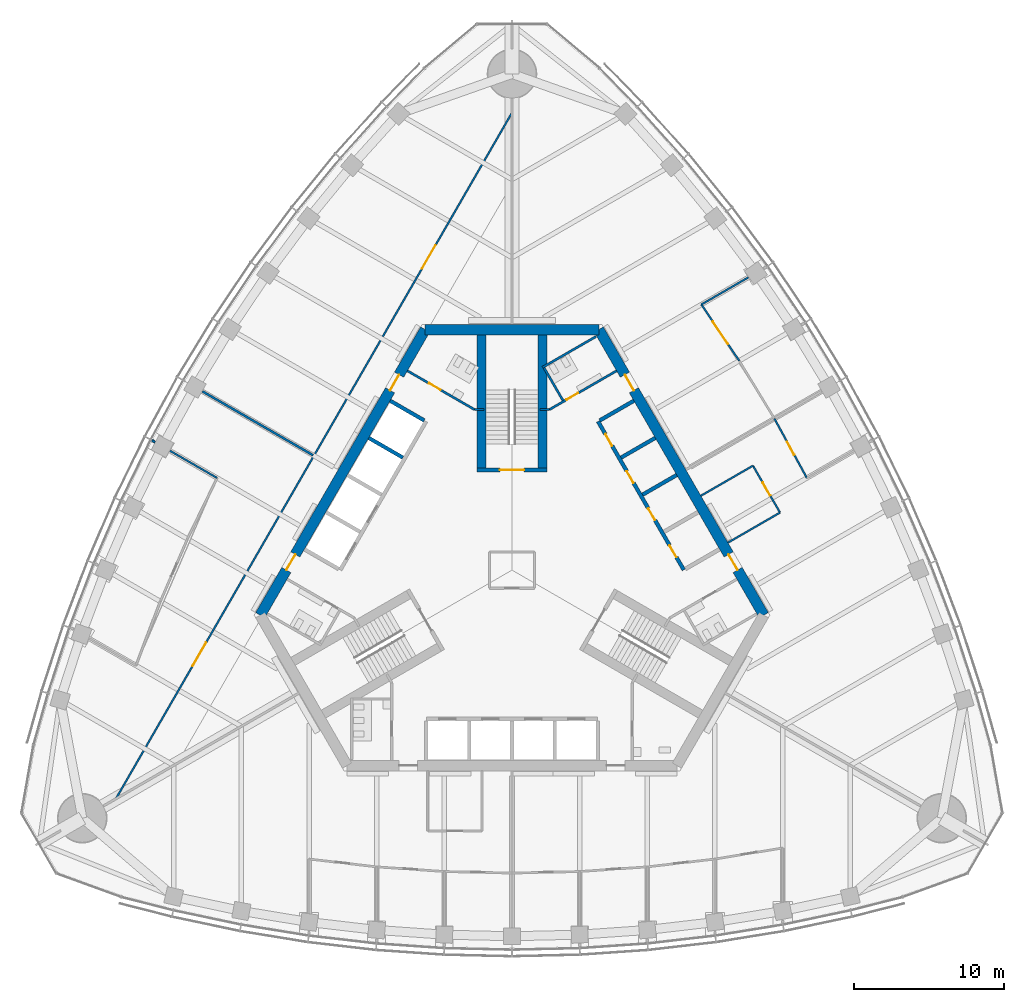
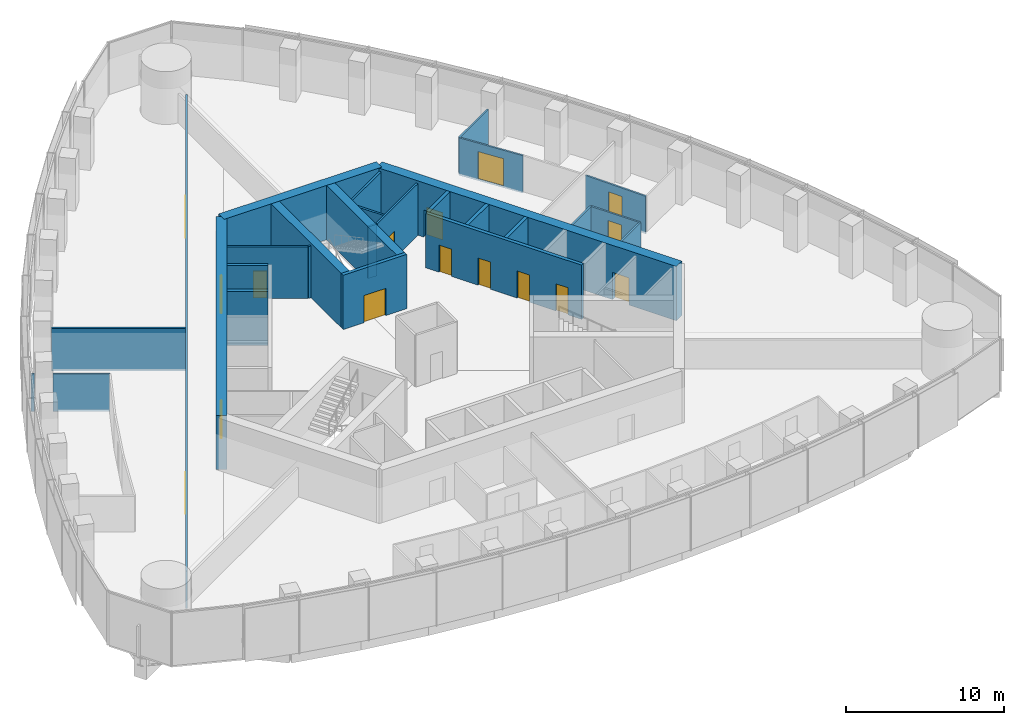
# One storey, part 13 of 19: 28 walls, 16 doors, 16 openings.
"""IFC4 building model written with IfcOpenShell, lengths in metres."""

from ifc_helpers import new_model, si_unit, direction, frame, frame_2d, origin, place, context, subcontext, project, spatial, rectangle, extrude, material, layer, layer_set, type_object, element, fill, save


model = new_model("IFC4")

# Units and contexts
model_context = context("Model", 3, precision=1e-05, world=origin(), true_north=direction((0.0, 1.0)))
body_context = subcontext(model_context, "Body", "Model", "MODEL_VIEW")
ifc_project = project(units=[si_unit("LENGTHUNIT", "METRE"), si_unit("AREAUNIT", "SQUARE_METRE"), si_unit("VOLUMEUNIT", "CUBIC_METRE"), si_unit("PLANEANGLEUNIT", "RADIAN"), si_unit("MASSUNIT", "GRAM", prefix="KILO")], contexts=[model_context])

# Site, building, storey
site_placement = place(None, origin())
site = spatial("IfcSite", under=ifc_project, at=site_placement, CompositionType="ELEMENT")
building_placement = place(site_placement, origin())
building = spatial("IfcBuilding", under=site, at=building_placement, Name="Trefoil Bronze Tower", CompositionType="ELEMENT")
storey_placement = place(building_placement, frame((0.0, 0.0, 223.300048828125)))
storey = spatial("IfcBuildingStorey", under=building, at=storey_placement, Name="L51", CompositionType="ELEMENT", Elevation=223.300048828125)

# Wall, openings, doors
ifc_material_1 = material(Name="Concrete B80", Category="concrete")
ifc_layer_1 = layer(ifc_material_1, 0.699951171875)
ifc_layer_set_1 = layer_set([ifc_layer_1], Name="Core wall 700")
wall_type_1 = type_object("IfcWallType", Name="Core wall 700", PredefinedType="SHEAR", material=ifc_layer_set_1)
wall_1_placement = place(storey_placement, frame((16.7431640625, -3.0, 0.0), z_axis=(0.0, 0.0, 1.0), x_axis=(-0.500002442456, 0.866023993627, 0.0)))
wall_1 = element("IfcWall", 1, at=wall_1_placement, inside=storey, type_object=wall_type_1, Name="Core long wall 2 L51", PredefinedType="SHEAR", context=body_context, shape_type="SweptSolid", body=[
    extrude(rectangle(XDim=21.939453125, YDim=0.699951171875, at=frame_2d((10.9697265625, 0.0))), origin(), (0.0, 0.0, 1.0), 4.199951171875),
])
opening_1_placement = place(wall_1_placement, frame((17.269775390625, 0.0, 0.0)))
opening_1 = element("IfcOpeningElement", 2, at=opening_1_placement, cuts=wall_1, Name="Opening D2", PredefinedType="OPENING", context=body_context, shape_type="SweptSolid", body=[
    extrude(rectangle(XDim=1.199951171875, YDim=2.10009765625, at=frame_2d((0.60009765625, 1.050048828125))), frame((0.0, 0.35986328125, 0.0), z_axis=(0.0, -1.0, 0.0), x_axis=(1.0, 0.0, 0.0)), (0.0, 0.0, 1.0), 0.719970703125),
])
opening_2_placement = place(wall_1_placement, frame((3.4697265625, 0.0, 0.0)))
opening_2 = element("IfcOpeningElement", 3, at=opening_2_placement, cuts=wall_1, Name="Opening D2", PredefinedType="OPENING", context=body_context, shape_type="SweptSolid", body=[
    extrude(rectangle(XDim=1.199951171875, YDim=2.10009765625, at=frame_2d((0.60009765625, 1.050048828125))), frame((0.0, 0.35986328125, 0.0), z_axis=(0.0, -1.0, 0.0), x_axis=(1.0, 0.0, 0.0)), (0.0, 0.0, 1.0), 0.719970703125),
])
ifc_material_2 = material(Name="Steel door", Category="steel")
door_type_1 = type_object("IfcDoorType", Name="Lobby door 1200", OperationType="SINGLE_SWING_RIGHT", PredefinedType="DOOR", material=ifc_material_2)
door_1_placement = place(opening_1_placement, origin())
door_1 = element("IfcDoor", 4, at=door_1_placement, inside=storey, type_object=door_type_1, Name="Lobby door F2+ L51", OperationType="SINGLE_SWING_RIGHT", OverallHeight=2.10009765625, OverallWidth=1.199951171875, PredefinedType="DOOR", context=body_context, shape_type="SweptSolid", body=[
    extrude(rectangle(XDim=1.199951171875, YDim=2.10009765625, at=frame_2d((0.60009765625, 1.050048828125))), frame((0.0, 0.02490234375, 0.0), z_axis=(0.0, -1.0, 0.0), x_axis=(1.0, 0.0, 0.0)), (0.0, 0.0, 1.0), 0.050048828125),
])
fill(opening_1, door_1)
door_2_placement = place(opening_2_placement, origin())
door_2 = element("IfcDoor", 5, at=door_2_placement, inside=storey, type_object=door_type_1, Name="Lobby door F2- L51", OperationType="SINGLE_SWING_LEFT", OverallHeight=2.10009765625, OverallWidth=1.199951171875, PredefinedType="DOOR", context=body_context, shape_type="SweptSolid", body=[
    extrude(rectangle(XDim=1.199951171875, YDim=2.10009765625, at=frame_2d((0.60009765625, 1.050048828125))), frame((0.0, 0.02490234375, 0.0), z_axis=(0.0, -1.0, 0.0), x_axis=(1.0, 0.0, 0.0)), (0.0, 0.0, 1.0), 0.050048828125),
])
fill(opening_2, door_2)

# Wall
wall_2_placement = place(storey_placement, frame((5.7734375, 16.0, 0.0), z_axis=(0.0, 0.0, 1.0), x_axis=(-1.0, 0.0, 0.0)))
element("IfcWall", 6, at=wall_2_placement, inside=storey, type_object=wall_type_1, Name="Core short wall 2 L51", PredefinedType="SHEAR", context=body_context, shape_type="SweptSolid", body=[
    extrude(rectangle(XDim=11.546875, YDim=0.699951171875, at=frame_2d((5.7734375, 0.0))), origin(), (0.0, 0.0, 1.0), 4.199951171875),
])

# Wall, openings, doors
wall_3_placement = place(storey_placement, frame((-5.7734375, 16.0, 0.0), z_axis=(0.0, 0.0, 1.0), x_axis=(-0.500002442456, -0.866023993627, 0.0)))
wall_3 = element("IfcWall", 7, at=wall_3_placement, inside=storey, type_object=wall_type_1, Name="Core long wall 3 L51", PredefinedType="SHEAR", context=body_context, shape_type="SweptSolid", body=[
    extrude(rectangle(XDim=21.939453125, YDim=0.699951171875, at=frame_2d((10.9697265625, 0.0))), origin(), (0.0, 0.0, 1.0), 4.199951171875),
])
opening_3_placement = place(wall_3_placement, frame((17.269775390625, 0.0, 0.0)))
opening_3 = element("IfcOpeningElement", 8, at=opening_3_placement, cuts=wall_3, Name="Opening D2", PredefinedType="OPENING", context=body_context, shape_type="SweptSolid", body=[
    extrude(rectangle(XDim=1.199951171875, YDim=2.10009765625, at=frame_2d((0.60009765625, 1.050048828125))), frame((0.0, 0.35986328125, 0.0), z_axis=(0.0, -1.0, 0.0), x_axis=(1.0, 0.0, 0.0)), (0.0, 0.0, 1.0), 0.719970703125),
])
opening_4_placement = place(wall_3_placement, frame((3.4697265625, 0.0, 0.0)))
opening_4 = element("IfcOpeningElement", 9, at=opening_4_placement, cuts=wall_3, Name="Opening D2", PredefinedType="OPENING", context=body_context, shape_type="SweptSolid", body=[
    extrude(rectangle(XDim=1.199951171875, YDim=2.10009765625, at=frame_2d((0.60009765625, 1.050048828125))), frame((0.0, 0.35986328125, 0.0), z_axis=(0.0, -1.0, 0.0), x_axis=(1.0, 0.0, 0.0)), (0.0, 0.0, 1.0), 0.719970703125),
])
door_3_placement = place(opening_3_placement, origin())
door_3 = element("IfcDoor", 10, at=door_3_placement, inside=storey, type_object=door_type_1, Name="Lobby door F3+ L51", OperationType="SINGLE_SWING_RIGHT", OverallHeight=2.10009765625, OverallWidth=1.199951171875, PredefinedType="DOOR", context=body_context, shape_type="SweptSolid", body=[
    extrude(rectangle(XDim=1.199951171875, YDim=2.10009765625, at=frame_2d((0.60009765625, 1.050048828125))), frame((0.0, 0.02490234375, 0.0), z_axis=(0.0, -1.0, 0.0), x_axis=(1.0, 0.0, 0.0)), (0.0, 0.0, 1.0), 0.050048828125),
])
fill(opening_3, door_3)
door_4_placement = place(opening_4_placement, origin())
door_4 = element("IfcDoor", 11, at=door_4_placement, inside=storey, type_object=door_type_1, Name="Lobby door F3- L51", OperationType="SINGLE_SWING_LEFT", OverallHeight=2.10009765625, OverallWidth=1.199951171875, PredefinedType="DOOR", context=body_context, shape_type="SweptSolid", body=[
    extrude(rectangle(XDim=1.199951171875, YDim=2.10009765625, at=frame_2d((0.60009765625, 1.050048828125))), frame((0.0, 0.02490234375, 0.0), z_axis=(0.0, -1.0, 0.0), x_axis=(1.0, 0.0, 0.0)), (0.0, 0.0, 1.0), 0.050048828125),
])
fill(opening_4, door_4)

# Wall, opening, door
ifc_material_3 = material(Name="Glazed partition", Category="glass")
ifc_layer_2 = layer(ifc_material_3, 0.1201171875)
ifc_layer_set_2 = layer_set([ifc_layer_2], Name="Glazed partition 120")
wall_type_2 = type_object("IfcWallType", Name="Glazed partition 120", PredefinedType="PARTITIONING", material=ifc_layer_set_2)
wall_4_placement = place(storey_placement, frame((17.825439453125, 3.8251953125, 0.0), z_axis=(0.0, 0.0, 1.0), x_axis=(-0.499961193289, 0.866047807691, 0.0)))
wall_4 = element("IfcWall", 12, at=wall_4_placement, inside=storey, type_object=wall_type_2, Name="Partition F2 L51", PredefinedType="PARTITIONING", context=body_context, shape_type="SweptSolid", body=[
    extrude(rectangle(XDim=3.599853515625, YDim=0.1201171875, at=frame_2d((1.7998046875, 0.0))), origin(), (0.0, 0.0, 1.0), 2.89990234375),
])
opening_5_placement = place(wall_4_placement, frame((1.300048828125, 0.0, 0.14990234375)))
opening_5 = element("IfcOpeningElement", 13, at=opening_5_placement, cuts=wall_4, Name="Opening D9", PredefinedType="OPENING", context=body_context, shape_type="SweptSolid", body=[
    extrude(rectangle(XDim=1.0, YDim=2.10009765625, at=frame_2d((0.5, 1.050048828125))), frame((0.0, 0.070068359375, 0.0), z_axis=(0.0, -1.0, 0.0), x_axis=(1.0, 0.0, 0.0)), (0.0, 0.0, 1.0), 0.14013671875),
])
ifc_material_4 = material(Name="Glazed timber door", Category="wood")
door_type_2 = type_object("IfcDoorType", Name="Meeting room door 1000", OperationType="SINGLE_SWING_LEFT", PredefinedType="DOOR", material=ifc_material_4)
door_5_placement = place(opening_5_placement, origin())
door_5 = element("IfcDoor", 14, at=door_5_placement, inside=storey, type_object=door_type_2, Name="Meeting room door F2 L51", OperationType="SINGLE_SWING_RIGHT", OverallHeight=2.10009765625, OverallWidth=1.0, PredefinedType="DOOR", context=body_context, shape_type="SweptSolid", body=[
    extrude(rectangle(XDim=1.0, YDim=2.10009765625, at=frame_2d((0.5, 1.050048828125))), frame((0.0, 0.02490234375, 0.0), z_axis=(0.0, -1.0, 0.0), x_axis=(1.0, 0.0, 0.0)), (0.0, 0.0, 1.0), 0.050048828125),
])
fill(opening_5, door_5)

# Walls
for number, where, z_axis, x_axis, name in (
    (15, (12.5615234375, 4.94287109375, 0.0), (0.0, 0.0, 1.0), (0.866026010844, 0.49999894854, 0.0), "Partition F2 L51"),
    (16, (14.361328125, 1.8251953125, 0.0), (0.0, 0.0, 1.0), (0.866026010844, 0.49999894854, 0.0), "Partition F2 L51"),
):
    element("IfcWall", number, at=place(storey_placement, frame(where, z_axis=z_axis, x_axis=x_axis)), inside=storey, type_object=wall_type_2, Name=name, PredefinedType="PARTITIONING", context=body_context, shape_type="SweptSolid", body=[
        extrude(rectangle(XDim=4.0, YDim=0.1201171875, at=frame_2d((2.0, 0.0))), origin(), (0.0, 0.0, 1.0), 2.89990234375),
    ])

# Wall, opening, door
wall_5_placement = place(storey_placement, frame((15.111328125, 13.920654296875, 0.0), z_axis=(0.0, 0.0, 1.0), x_axis=(-0.558466624917, 0.829526991034, 0.0)))
wall_5 = element("IfcWall", 17, at=wall_5_placement, inside=storey, type_object=wall_type_2, Name="Partition F2 L51", PredefinedType="PARTITIONING", context=body_context, shape_type="SweptSolid", body=[
    extrude(rectangle(XDim=4.5107421875, YDim=0.1201171875, at=frame_2d((2.25537109375, 0.0))), origin(), (0.0, 0.0, 1.0), 2.89990234375),
])
opening_6_placement = place(wall_5_placement, frame((1.35009765625, 0.0, 0.14990234375)))
opening_6 = element("IfcOpeningElement", 18, at=opening_6_placement, cuts=wall_5, Name="Opening D10", PredefinedType="OPENING", context=body_context, shape_type="SweptSolid", body=[
    extrude(rectangle(XDim=1.800048828125, YDim=2.10009765625, at=frame_2d((0.89990234375, 1.050048828125))), frame((0.0, 0.070068359375, 0.0), z_axis=(0.0, -1.0, 0.0), x_axis=(1.0, 0.0, 0.0)), (0.0, 0.0, 1.0), 0.14013671875),
])
ifc_material_5 = material(Name="Timber door", Category="wood")
door_type_3 = type_object("IfcDoorType", Name="Double door 1800", OperationType="DOUBLE_DOOR_SINGLE_SWING", PredefinedType="DOOR", material=ifc_material_5)
door_6_placement = place(opening_6_placement, frame((1.800048828125, 0.0, 0.0), z_axis=(0.0, 0.0, 1.0), x_axis=(-1.0, 0.0, 0.0)))
door_6 = element("IfcDoor", 19, at=door_6_placement, inside=storey, type_object=door_type_3, Name="Kitchen and breakout door F2 L51", OperationType="DOUBLE_DOOR_SINGLE_SWING", OverallHeight=2.10009765625, OverallWidth=1.800048828125, PredefinedType="DOOR", context=body_context, shape_type="SweptSolid", body=[
    extrude(rectangle(XDim=1.800048828125, YDim=2.10009765625, at=frame_2d((0.89990234375, 1.050048828125))), frame((0.0, 0.02490234375, 0.0), z_axis=(0.0, -1.0, 0.0), x_axis=(1.0, 0.0, 0.0)), (0.0, 0.0, 1.0), 0.050048828125),
])
fill(opening_6, door_6)

wall_6_placement = place(storey_placement, frame((19.611328125, 6.12646484375, 0.0), z_axis=(0.0, 0.0, 1.0), x_axis=(-0.479949984371, 0.877295852322, 0.0)))
wall_6 = element("IfcWall", 20, at=wall_6_placement, inside=storey, type_object=wall_type_2, Name="Partition F2 L51", PredefinedType="PARTITIONING", context=body_context, shape_type="SweptSolid", body=[
    extrude(rectangle(XDim=4.501220703125, YDim=0.1201171875, at=frame_2d((2.25048828125, 0.0))), origin(), (0.0, 0.0, 1.0), 2.89990234375),
])
opening_7_placement = place(wall_6_placement, frame((1.75, 0.0, 0.14990234375)))
opening_7 = element("IfcOpeningElement", 21, at=opening_7_placement, cuts=wall_6, Name="Opening D9", PredefinedType="OPENING", context=body_context, shape_type="SweptSolid", body=[
    extrude(rectangle(XDim=1.0, YDim=2.10009765625, at=frame_2d((0.5, 1.050048828125))), frame((0.0, 0.070068359375, 0.0), z_axis=(0.0, -1.0, 0.0), x_axis=(1.0, 0.0, 0.0)), (0.0, 0.0, 1.0), 0.14013671875),
])
door_7_placement = place(opening_7_placement, frame((1.0, 0.0, 0.0), z_axis=(0.0, 0.0, 1.0), x_axis=(-1.0, 0.0, 0.0)))
door_7 = element("IfcDoor", 22, at=door_7_placement, inside=storey, type_object=door_type_2, Name="Meeting room door F2 L51", OperationType="SINGLE_SWING_RIGHT", OverallHeight=2.10009765625, OverallWidth=1.0, PredefinedType="DOOR", context=body_context, shape_type="SweptSolid", body=[
    extrude(rectangle(XDim=1.0, YDim=2.10009765625, at=frame_2d((0.5, 1.050048828125))), frame((0.0, 0.02490234375, 0.0), z_axis=(0.0, -1.0, 0.0), x_axis=(1.0, 0.0, 0.0)), (0.0, 0.0, 1.0), 0.050048828125),
])
fill(opening_7, door_7)

# Wall
wall_7_placement = place(storey_placement, frame((12.59228515625, 17.662353515625, 0.0), z_axis=(0.0, 0.0, 1.0), x_axis=(0.866014593977, 0.500018722669, 0.0)))
element("IfcWall", 23, at=wall_7_placement, inside=storey, type_object=wall_type_2, Name="Partition F2 L51", PredefinedType="PARTITIONING", context=body_context, shape_type="SweptSolid", body=[
    extrude(rectangle(XDim=3.614013671875, YDim=0.1201171875, at=frame_2d((1.80712890625, 0.0))), origin(), (0.0, 0.0, 1.0), 2.89990234375),
])

# Wall, openings, doors
wall_8_placement = place(storey_placement, frame((-0.016357421875, 30.3916015625, 0.0), z_axis=(0.0, 0.0, 1.0), x_axis=(-0.500000626146, -0.866025042278, 0.0)))
wall_8 = element("IfcWall", 24, at=wall_8_placement, inside=storey, type_object=wall_type_2, Name="Partition F3 L51", PredefinedType="PARTITIONING", context=body_context, shape_type="SweptSolid", body=[
    extrude(rectangle(XDim=52.62353515625, YDim=0.1201171875, at=frame_2d((26.311767578125, 0.0))), origin(), (0.0, 0.0, 1.0), 2.89990234375),
])
opening_8_placement = place(wall_8_placement, frame((10.14990234375, 0.0, 0.14990234375)))
opening_8 = element("IfcOpeningElement", 25, at=opening_8_placement, cuts=wall_8, Name="Opening D10", PredefinedType="OPENING", context=body_context, shape_type="SweptSolid", body=[
    extrude(rectangle(XDim=1.800048828125, YDim=2.10009765625, at=frame_2d((0.89990234375, 1.050048828125))), frame((0.0, 0.070068359375, 0.0), z_axis=(0.0, -1.0, 0.0), x_axis=(1.0, 0.0, 0.0)), (0.0, 0.0, 1.0), 0.14013671875),
])
opening_9_placement = place(wall_8_placement, frame((40.64990234375, 0.0, 0.14990234375)))
opening_9 = element("IfcOpeningElement", 26, at=opening_9_placement, cuts=wall_8, Name="Opening D10", PredefinedType="OPENING", context=body_context, shape_type="SweptSolid", body=[
    extrude(rectangle(XDim=1.800048828125, YDim=2.10009765625, at=frame_2d((0.89990234375, 1.050048828125))), frame((0.0, 0.070068359375, 0.0), z_axis=(0.0, -1.0, 0.0), x_axis=(1.0, 0.0, 0.0)), (0.0, 0.0, 1.0), 0.14013671875),
])
door_8_placement = place(opening_8_placement, origin())
door_8 = element("IfcDoor", 27, at=door_8_placement, inside=storey, type_object=door_type_3, Name="Corridor door F3 L51", OperationType="DOUBLE_DOOR_SINGLE_SWING", OverallHeight=2.10009765625, OverallWidth=1.800048828125, PredefinedType="DOOR", context=body_context, shape_type="SweptSolid", body=[
    extrude(rectangle(XDim=1.800048828125, YDim=2.10009765625, at=frame_2d((0.89990234375, 1.050048828125))), frame((0.0, 0.02490234375, 0.0), z_axis=(0.0, -1.0, 0.0), x_axis=(1.0, 0.0, 0.0)), (0.0, 0.0, 1.0), 0.050048828125),
])
fill(opening_8, door_8)
door_9_placement = place(opening_9_placement, origin())
door_9 = element("IfcDoor", 28, at=door_9_placement, inside=storey, type_object=door_type_3, Name="Corridor door F3 L51", OperationType="DOUBLE_DOOR_SINGLE_SWING", OverallHeight=2.10009765625, OverallWidth=1.800048828125, PredefinedType="DOOR", context=body_context, shape_type="SweptSolid", body=[
    extrude(rectangle(XDim=1.800048828125, YDim=2.10009765625, at=frame_2d((0.89990234375, 1.050048828125))), frame((0.0, 0.02490234375, 0.0), z_axis=(0.0, -1.0, 0.0), x_axis=(1.0, 0.0, 0.0)), (0.0, 0.0, 1.0), 0.050048828125),
])
fill(opening_9, door_9)

# Wall
wall_9_placement = place(storey_placement, frame((-19.611328125, 6.12646484375, 0.0), z_axis=(0.0, 0.0, 1.0), x_axis=(-0.86602154905, 0.500006676536, 0.0)))
element("IfcWall", 29, at=wall_9_placement, inside=storey, type_object=wall_type_2, Name="Partition F3 L51", PredefinedType="PARTITIONING", context=body_context, shape_type="SweptSolid", body=[
    extrude(rectangle(XDim=3.61865234375, YDim=0.1201171875, at=frame_2d((1.809326171875, 0.0))), origin(), (0.0, 0.0, 1.0), 2.89990234375),
])

# Wall, opening, door
ifc_material_6 = material(Name="Gypsum board on steel studs", Category="steel")
ifc_layer_3 = layer(ifc_material_6, 0.14990234375)
ifc_layer_set_3 = layer_set([ifc_layer_3], Name="Partition 150")
wall_type_3 = type_object("IfcWallType", Name="Partition 150", PredefinedType="PARTITIONING", material=ifc_layer_set_3)
wall_10_placement = place(storey_placement, frame((2.4951171875, 10.67822265625, 0.0), z_axis=(0.0, 0.0, 1.0), x_axis=(0.866037967349, 0.499978238636, 0.0)))
wall_10 = element("IfcWall", 30, at=wall_10_placement, inside=storey, type_object=wall_type_3, Name="Passage wall F2+ L51", PredefinedType="PARTITIONING", context=body_context, shape_type="SweptSolid", body=[
    extrude(rectangle(XDim=5.150146484375, YDim=0.14990234375, at=frame_2d((2.5751953125, 0.0))), origin(), (0.0, 0.0, 1.0), 4.0),
])
opening_10_placement = place(wall_10_placement, frame((1.300048828125, 0.0, 0.0)))
opening_10 = element("IfcOpeningElement", 31, at=opening_10_placement, cuts=wall_10, Name="Opening D3", PredefinedType="OPENING", context=body_context, shape_type="SweptSolid", body=[
    extrude(rectangle(XDim=0.89990234375, YDim=2.10009765625, at=frame_2d((0.449951171875, 1.050048828125))), frame((0.0, 0.0849609375, 0.0), z_axis=(0.0, -1.0, 0.0), x_axis=(1.0, 0.0, 0.0)), (0.0, 0.0, 1.0), 0.169921875),
])
ifc_material_7 = material(Name="Timber door", Category="wood")
door_type_4 = type_object("IfcDoorType", Name="WC door 900", OperationType="SINGLE_SWING_LEFT", PredefinedType="DOOR", material=ifc_material_7)
door_10_placement = place(opening_10_placement, origin())
door_10 = element("IfcDoor", 32, at=door_10_placement, inside=storey, type_object=door_type_4, Name="WC (men) door L51", OperationType="SINGLE_SWING_LEFT", OverallHeight=2.10009765625, OverallWidth=0.89990234375, PredefinedType="DOOR", context=body_context, shape_type="SweptSolid", body=[
    extrude(rectangle(XDim=0.89990234375, YDim=2.10009765625, at=frame_2d((0.449951171875, 1.050048828125))), frame((0.0, 0.02490234375, 0.0), z_axis=(0.0, -1.0, 0.0), x_axis=(1.0, 0.0, 0.0)), (0.0, 0.0, 1.0), 0.050048828125),
])
fill(opening_10, door_10)

wall_11_placement = place(storey_placement, frame((-2.4951171875, 10.67822265625, 0.0), z_axis=(0.0, 0.0, 1.0), x_axis=(-0.866037967349, 0.499978238636, 0.0)))
wall_11 = element("IfcWall", 33, at=wall_11_placement, inside=storey, type_object=wall_type_3, Name="Passage wall F3- L51", PredefinedType="PARTITIONING", context=body_context, shape_type="SweptSolid", body=[
    extrude(rectangle(XDim=5.150146484375, YDim=0.14990234375, at=frame_2d((2.5751953125, 0.0))), origin(), (0.0, 0.0, 1.0), 4.0),
])
opening_11_placement = place(wall_11_placement, frame((2.60009765625, 0.0, 0.0)))
opening_11 = element("IfcOpeningElement", 34, at=opening_11_placement, cuts=wall_11, Name="Opening D3", PredefinedType="OPENING", context=body_context, shape_type="SweptSolid", body=[
    extrude(rectangle(XDim=0.89990234375, YDim=2.10009765625, at=frame_2d((0.449951171875, 1.050048828125))), frame((0.0, 0.0849609375, 0.0), z_axis=(0.0, -1.0, 0.0), x_axis=(1.0, 0.0, 0.0)), (0.0, 0.0, 1.0), 0.169921875),
])
door_11_placement = place(opening_11_placement, frame((0.89990234375, 0.0, 0.0), z_axis=(0.0, 0.0, 1.0), x_axis=(-1.0, 0.0, 0.0)))
door_11 = element("IfcDoor", 35, at=door_11_placement, inside=storey, type_object=door_type_4, Name="WC (women) door L51", OperationType="SINGLE_SWING_LEFT", OverallHeight=2.10009765625, OverallWidth=0.89990234375, PredefinedType="DOOR", context=body_context, shape_type="SweptSolid", body=[
    extrude(rectangle(XDim=0.89990234375, YDim=2.10009765625, at=frame_2d((0.449951171875, 1.050048828125))), frame((0.0, 0.02490234375, 0.0), z_axis=(0.0, -1.0, 0.0), x_axis=(1.0, 0.0, 0.0)), (0.0, 0.0, 1.0), 0.050048828125),
])
fill(opening_11, door_11)

# Walls
for number, where, z_axis, x_axis, name in (
    (36, (2.4951171875, 10.67822265625, 0.0), (0.0, 0.0, 1.0), (-1.0, 0.0, 0.0), "WC wall ST2-1 L51"),
    (37, (-2.4951171875, 10.67822265625, 0.0), (0.0, 0.0, 1.0), (1.0, 0.0, 0.0), "WC wall ST2+1 L51"),
):
    element("IfcWall", number, at=place(storey_placement, frame(where, z_axis=z_axis, x_axis=x_axis)), inside=storey, type_object=wall_type_3, Name=name, PredefinedType="PARTITIONING", context=body_context, shape_type="SweptSolid", body=[
        extrude(rectangle(XDim=0.64501953125, YDim=0.14990234375, at=frame_2d((0.322509765625, 0.0))), origin(), (0.0, 0.0, 1.0), 4.0),
    ])
wall_12_placement = place(storey_placement, frame((2.03125, 13.48193359375, 0.0), z_axis=(0.0, 0.0, 1.0), x_axis=(0.866050731258, 0.499956128963, 0.0)))
element("IfcWall", 38, at=wall_12_placement, inside=storey, type_object=wall_type_3, Name="WC partition WC (men) L51", PredefinedType="PARTITIONING", context=body_context, shape_type="SweptSolid", body=[
    extrude(rectangle(XDim=4.099853515625, YDim=0.14990234375, at=frame_2d((2.0498046875, 0.0))), origin(), (0.0, 0.0, 1.0), 4.0),
])
wall_13_placement = place(storey_placement, frame((3.388671875, 11.28076171875, 0.0), z_axis=(0.0, 0.0, 1.0), x_axis=(-0.499989096993, 0.866031698547, 0.0)))
element("IfcWall", 39, at=wall_13_placement, inside=storey, type_object=wall_type_3, Name="WC partition WC (men) L51", PredefinedType="PARTITIONING", context=body_context, shape_type="SweptSolid", body=[
    extrude(rectangle(XDim=2.509765625, YDim=0.14990234375, at=frame_2d((1.2548828125, 0.0))), origin(), (0.0, 0.0, 1.0), 4.0),
])
wall_14_placement = place(storey_placement, frame((-23.749267578125, 8.515380859375, 0.0), z_axis=(0.0, 0.0, 1.0), x_axis=(-0.865810949009, 0.500371262739, 0.0)))
element("IfcWall", 40, at=wall_14_placement, inside=storey, type_object=wall_type_3, Name="Partition F3 L51", PredefinedType="PARTITIONING", context=body_context, shape_type="SweptSolid", body=[
    extrude(rectangle(XDim=0.217041015625, YDim=0.14990234375, at=frame_2d((0.1083984375, 0.0))), origin(), (0.0, 0.0, 1.0), 2.89990234375),
])
ifc_material_8 = material(Name="Gypsum board on steel studs", Category="steel")
ifc_layer_4 = layer(ifc_material_8, 0.14990234375)
ifc_layer_set_4 = layer_set([ifc_layer_4], Name="Party wall 150")
wall_type_4 = type_object("IfcWallType", Name="Party wall 150", PredefinedType="PARTITIONING", material=ifc_layer_set_4)
wall_15_placement = place(storey_placement, frame((-13.22412109375, 7.635009765625, 0.0), z_axis=(0.0, 0.0, 1.0), x_axis=(-0.86603062717, 0.499990952723, 0.0)))
element("IfcWall", 41, at=wall_15_placement, inside=storey, type_object=wall_type_4, Name="Demising wall F3 L51", PredefinedType="PARTITIONING", context=body_context, shape_type="SweptSolid", body=[
    extrude(rectangle(XDim=8.500732421875, YDim=0.14990234375, at=frame_2d((4.25048828125, 0.0))), origin(), (0.0, 0.0, 1.0), 3.300048828125),
])

# Wall, openings, doors
ifc_material_9 = material(Name="Concrete B80", Category="concrete")
ifc_layer_5 = layer(ifc_material_9, 0.25)
ifc_layer_set_5 = layer_set([ifc_layer_5], Name="Shaft wall 250")
wall_type_5 = type_object("IfcWallType", Name="Shaft wall 250", PredefinedType="SHEAR", material=ifc_layer_set_5)
wall_16_placement = place(storey_placement, frame((11.423583984375, 0.013671875, 0.0), z_axis=(0.0, 0.0, 1.0), x_axis=(-0.500001763848, 0.866024385424, 0.0)))
wall_16 = element("IfcWall", 42, at=wall_16_placement, inside=storey, type_object=wall_type_5, Name="Lift shaft front wall B L51", PredefinedType="SHEAR", context=body_context, shape_type="SweptSolid", body=[
    extrude(rectangle(XDim=11.39990234375, YDim=0.25, at=frame_2d((5.699951171875, 0.0))), origin(), (0.0, 0.0, 1.0), 4.199951171875),
])
opening_12_placement = place(wall_16_placement, frame((0.97509765625, 0.0, 0.0)))
opening_12 = element("IfcOpeningElement", 43, at=opening_12_placement, cuts=wall_16, Name="Opening D12", PredefinedType="OPENING", context=body_context, shape_type="SweptSolid", body=[
    extrude(rectangle(XDim=0.89990234375, YDim=2.10009765625, at=frame_2d((0.449951171875, 1.050048828125))), frame((0.0, 0.135009765625, 0.0), z_axis=(0.0, -1.0, 0.0), x_axis=(1.0, 0.0, 0.0)), (0.0, 0.0, 1.0), 0.27001953125),
])
opening_13_placement = place(wall_16_placement, frame((3.824951171875, 0.0, 0.0)))
opening_13 = element("IfcOpeningElement", 44, at=opening_13_placement, cuts=wall_16, Name="Opening D12", PredefinedType="OPENING", context=body_context, shape_type="SweptSolid", body=[
    extrude(rectangle(XDim=0.89990234375, YDim=2.10009765625, at=frame_2d((0.449951171875, 1.050048828125))), frame((0.0, 0.135009765625, 0.0), z_axis=(0.0, -1.0, 0.0), x_axis=(1.0, 0.0, 0.0)), (0.0, 0.0, 1.0), 0.27001953125),
])
opening_14_placement = place(wall_16_placement, frame((6.675048828125, 0.0, 0.0)))
opening_14 = element("IfcOpeningElement", 45, at=opening_14_placement, cuts=wall_16, Name="Opening D12", PredefinedType="OPENING", context=body_context, shape_type="SweptSolid", body=[
    extrude(rectangle(XDim=0.89990234375, YDim=2.10009765625, at=frame_2d((0.449951171875, 1.050048828125))), frame((0.0, 0.135009765625, 0.0), z_axis=(0.0, -1.0, 0.0), x_axis=(1.0, 0.0, 0.0)), (0.0, 0.0, 1.0), 0.27001953125),
])
opening_15_placement = place(wall_16_placement, frame((9.52490234375, 0.0, 0.0)))
opening_15 = element("IfcOpeningElement", 46, at=opening_15_placement, cuts=wall_16, Name="Opening D12", PredefinedType="OPENING", context=body_context, shape_type="SweptSolid", body=[
    extrude(rectangle(XDim=0.89990234375, YDim=2.10009765625, at=frame_2d((0.449951171875, 1.050048828125))), frame((0.0, 0.135009765625, 0.0), z_axis=(0.0, -1.0, 0.0), x_axis=(1.0, 0.0, 0.0)), (0.0, 0.0, 1.0), 0.27001953125),
])
ifc_material_10 = material(Name="Steel door", Category="steel")
door_type_5 = type_object("IfcDoorType", Name="Shaft room door 900", OperationType="SINGLE_SWING_LEFT", PredefinedType="DOOR", material=ifc_material_10)
door_12_placement = place(opening_12_placement, frame((0.89990234375, 0.0, 0.0), z_axis=(0.0, 0.0, 1.0), x_axis=(-1.0, 0.0, 0.0)))
door_12 = element("IfcDoor", 47, at=door_12_placement, inside=storey, type_object=door_type_5, Name="Shaft room door B1 L51", OperationType="SINGLE_SWING_LEFT", OverallHeight=2.10009765625, OverallWidth=0.89990234375, PredefinedType="DOOR", context=body_context, shape_type="SweptSolid", body=[
    extrude(rectangle(XDim=0.89990234375, YDim=2.10009765625, at=frame_2d((0.449951171875, 1.050048828125))), frame((0.0, 0.02490234375, 0.0), z_axis=(0.0, -1.0, 0.0), x_axis=(1.0, 0.0, 0.0)), (0.0, 0.0, 1.0), 0.050048828125),
])
fill(opening_12, door_12)
door_13_placement = place(opening_13_placement, frame((0.89990234375, 0.0, 0.0), z_axis=(0.0, 0.0, 1.0), x_axis=(-1.0, 0.0, 0.0)))
door_13 = element("IfcDoor", 48, at=door_13_placement, inside=storey, type_object=door_type_5, Name="Shaft room door B2 L51", OperationType="SINGLE_SWING_RIGHT", OverallHeight=2.10009765625, OverallWidth=0.89990234375, PredefinedType="DOOR", context=body_context, shape_type="SweptSolid", body=[
    extrude(rectangle(XDim=0.89990234375, YDim=2.10009765625, at=frame_2d((0.449951171875, 1.050048828125))), frame((0.0, 0.02490234375, 0.0), z_axis=(0.0, -1.0, 0.0), x_axis=(1.0, 0.0, 0.0)), (0.0, 0.0, 1.0), 0.050048828125),
])
fill(opening_13, door_13)
door_14_placement = place(opening_14_placement, frame((0.89990234375, 0.0, 0.0), z_axis=(0.0, 0.0, 1.0), x_axis=(-1.0, 0.0, 0.0)))
door_14 = element("IfcDoor", 49, at=door_14_placement, inside=storey, type_object=door_type_5, Name="Shaft room door B3 L51", OperationType="SINGLE_SWING_RIGHT", OverallHeight=2.10009765625, OverallWidth=0.89990234375, PredefinedType="DOOR", context=body_context, shape_type="SweptSolid", body=[
    extrude(rectangle(XDim=0.89990234375, YDim=2.10009765625, at=frame_2d((0.449951171875, 1.050048828125))), frame((0.0, 0.02490234375, 0.0), z_axis=(0.0, -1.0, 0.0), x_axis=(1.0, 0.0, 0.0)), (0.0, 0.0, 1.0), 0.050048828125),
])
fill(opening_14, door_14)
door_15_placement = place(opening_15_placement, frame((0.89990234375, 0.0, 0.0), z_axis=(0.0, 0.0, 1.0), x_axis=(-1.0, 0.0, 0.0)))
door_15 = element("IfcDoor", 50, at=door_15_placement, inside=storey, type_object=door_type_5, Name="Shaft room door B4 L51", OperationType="SINGLE_SWING_RIGHT", OverallHeight=2.10009765625, OverallWidth=0.89990234375, PredefinedType="DOOR", context=body_context, shape_type="SweptSolid", body=[
    extrude(rectangle(XDim=0.89990234375, YDim=2.10009765625, at=frame_2d((0.449951171875, 1.050048828125))), frame((0.0, 0.02490234375, 0.0), z_axis=(0.0, -1.0, 0.0), x_axis=(1.0, 0.0, 0.0)), (0.0, 0.0, 1.0), 0.050048828125),
])
fill(opening_15, door_15)

# Walls
for number, where, z_axis, x_axis, name in (
    (51, (8.681884765625, 5.012451171875, 0.0), (0.0, 0.0, 1.0), (0.866036909293, 0.499980071345, 0.0), "Lift shaft side wall B2 L51"),
    (52, (7.2568359375, 7.480712890625, 0.0), (0.0, 0.0, 1.0), (0.866036909293, 0.499980071345, 0.0), "Lift shaft side wall B3 L51"),
    (53, (5.831787109375, 9.94873046875, 0.0), (0.0, 0.0, 1.0), (0.866036909293, 0.499980071345, 0.0), "Lift shaft side wall B4 L51"),
    (54, (-5.831787109375, 9.94873046875, 0.0), (0.0, 0.0, 1.0), (-0.866036909293, 0.499980071345, 0.0), "Lift shaft side wall C0 L51"),
    (55, (-7.2568359375, 7.480712890625, 0.0), (0.0, 0.0, 1.0), (-0.866036909293, 0.499980071345, 0.0), "Lift shaft side wall C1 L51"),
):
    element("IfcWall", number, at=place(storey_placement, frame(where, z_axis=z_axis, x_axis=x_axis)), inside=storey, type_object=wall_type_5, Name=name, PredefinedType="SHEAR", context=body_context, shape_type="SweptSolid", body=[
        extrude(rectangle(XDim=2.625, YDim=0.25, at=frame_2d((1.3125, 0.0))), origin(), (0.0, 0.0, 1.0), 4.199951171875),
    ])

# Wall, opening, door
wall_17_placement = place(storey_placement, frame((2.324951171875, 6.64990234375, 0.0), z_axis=(0.0, 0.0, 1.0), x_axis=(-1.0, 0.0, 0.0)))
wall_17 = element("IfcWall", 56, at=wall_17_placement, inside=storey, type_object=wall_type_5, Name="Stair end wall ST2 L51", PredefinedType="SHEAR", context=body_context, shape_type="SweptSolid", body=[
    extrude(rectangle(XDim=4.64990234375, YDim=0.25, at=frame_2d((2.324951171875, 0.0))), origin(), (0.0, 0.0, 1.0), 4.199951171875),
])
opening_16_placement = place(wall_17_placement, frame((1.52490234375, 0.0, 0.0)))
opening_16 = element("IfcOpeningElement", 57, at=opening_16_placement, cuts=wall_17, Name="Opening D1", PredefinedType="OPENING", context=body_context, shape_type="SweptSolid", body=[
    extrude(rectangle(XDim=1.60009765625, YDim=2.10009765625, at=frame_2d((0.800048828125, 1.050048828125))), frame((0.0, 0.135009765625, 0.0), z_axis=(0.0, -1.0, 0.0), x_axis=(1.0, 0.0, 0.0)), (0.0, 0.0, 1.0), 0.27001953125),
])
ifc_material_11 = material(Name="Steel door", Category="steel")
door_type_6 = type_object("IfcDoorType", Name="Stair door 1600", OperationType="DOUBLE_DOOR_SINGLE_SWING", PredefinedType="DOOR", material=ifc_material_11)
door_16_placement = place(opening_16_placement, frame((1.60009765625, 0.0, 0.0), z_axis=(0.0, 0.0, 1.0), x_axis=(-1.0, 0.0, 0.0)))
door_16 = element("IfcDoor", 58, at=door_16_placement, inside=storey, type_object=door_type_6, Name="Stair door ST2 L51", OperationType="DOUBLE_DOOR_SINGLE_SWING", OverallHeight=2.10009765625, OverallWidth=1.60009765625, PredefinedType="DOOR", context=body_context, shape_type="SweptSolid", body=[
    extrude(rectangle(XDim=1.60009765625, YDim=2.10009765625, at=frame_2d((0.800048828125, 1.050048828125))), frame((0.0, 0.02490234375, 0.0), z_axis=(0.0, -1.0, 0.0), x_axis=(1.0, 0.0, 0.0)), (0.0, 0.0, 1.0), 0.050048828125),
])
fill(opening_16, door_16)

# Walls
ifc_material_12 = material(Name="Concrete B80", Category="concrete")
ifc_layer_6 = layer(ifc_material_12, 0.60009765625)
ifc_layer_set_6 = layer_set([ifc_layer_6], Name="Stair wall 600")
wall_type_6 = type_object("IfcWallType", Name="Stair wall 600", PredefinedType="SHEAR", material=ifc_layer_set_6)
for number, where, z_axis, x_axis, name in (
    (59, (2.02490234375, 6.52490234375, 0.0), (0.0, 0.0, 1.0), (0.0, 1.0, 0.0), "Stair wall ST2 L51"),
    (60, (-2.02490234375, 6.52490234375, 0.0), (0.0, 0.0, 1.0), (0.0, 1.0, 0.0), "Stair wall ST2 L51"),
):
    element("IfcWall", number, at=place(storey_placement, frame(where, z_axis=z_axis, x_axis=x_axis)), inside=storey, type_object=wall_type_6, Name=name, PredefinedType="SHEAR", context=body_context, shape_type="SweptSolid", body=[
        extrude(rectangle(XDim=9.125, YDim=0.60009765625, at=frame_2d((4.5625, 0.0))), origin(), (0.0, 0.0, 1.0), 4.199951171875),
    ])

save(model, "model.ifc")
